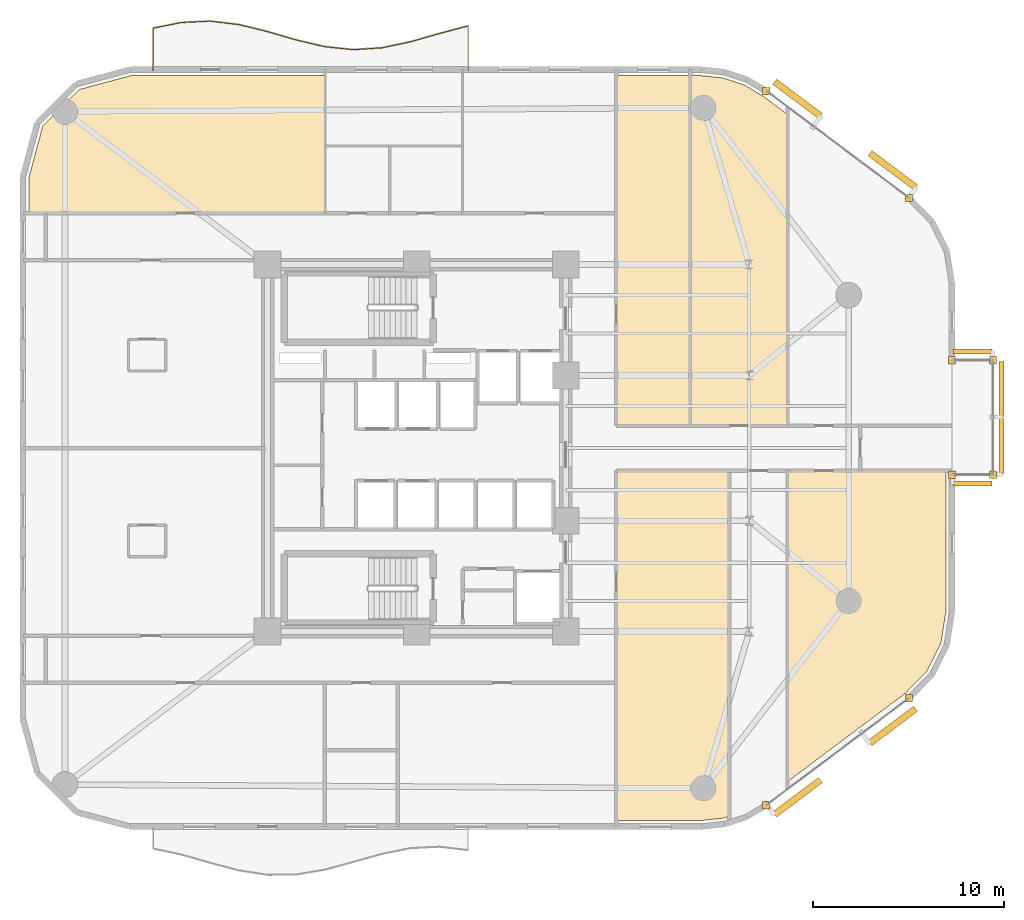
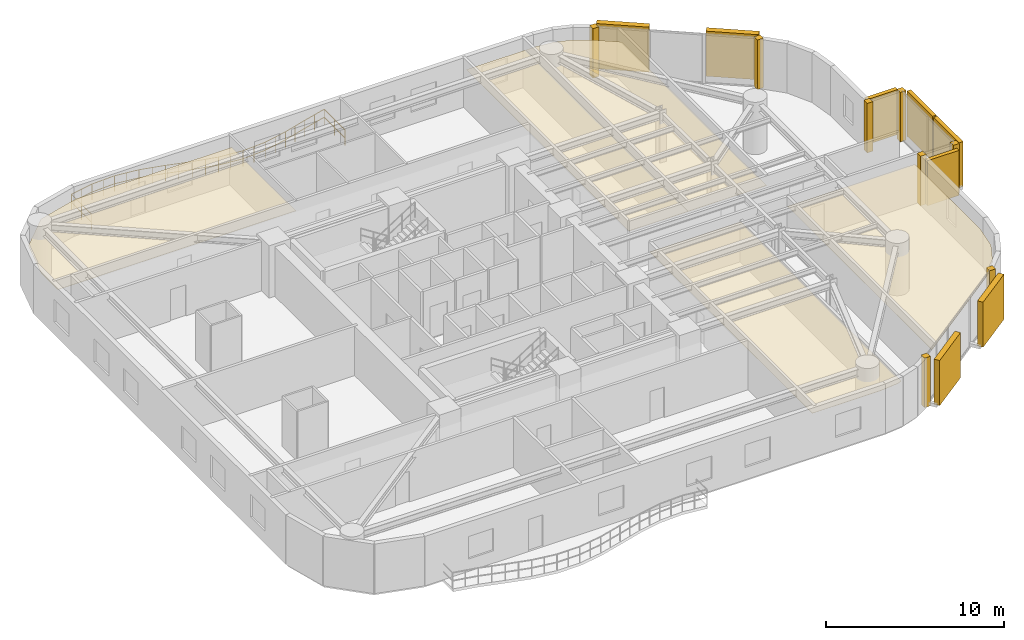
# One storey, part 14 of 14: 13 coverings, 8 shading devices, 1 railing.
"""IFC4 building model written with IfcOpenShell, lengths in metres."""

from ifc_helpers import new_model, si_unit, direction, frame, origin, origin_2d, place, context, subcontext, project, spatial, polyline, rectangle, circle, outline, extrude, material, layer, layer_set, type_object, element, save


model = new_model("IFC4")

# Units and contexts
model_context = context("Model", 3, precision=1e-05, world=origin(), true_north=direction((0.0, 1.0)))
body_context = subcontext(model_context, "Body", "Model", "MODEL_VIEW")
ifc_project = project(units=[si_unit("LENGTHUNIT", "METRE"), si_unit("AREAUNIT", "SQUARE_METRE"), si_unit("VOLUMEUNIT", "CUBIC_METRE"), si_unit("PLANEANGLEUNIT", "RADIAN"), si_unit("MASSUNIT", "GRAM", prefix="KILO")], contexts=[model_context])

# Site, building, storey
site_placement = place(None, origin())
site = spatial("IfcSite", under=ifc_project, at=site_placement, CompositionType="ELEMENT")
building_placement = place(site_placement, origin())
building = spatial("IfcBuilding", under=site, at=building_placement, Name="An Khanh Terracotta Commons", CompositionType="ELEMENT")
storey_placement = place(building_placement, frame((0.0, 0.0, 115.10009765625)))
storey = spatial("IfcBuildingStorey", under=building, at=storey_placement, Name="L30", CompositionType="ELEMENT", Elevation=115.10009765625)

# Coverings
ifc_material_1 = material(Name="Perforated Mineral-Fibre Acoustic Tile")
ifc_layer_1 = layer(ifc_material_1, 0.02001953125, Name="Perforated Mineral-Fibre Acoustic Tile")
ifc_layer_set_1 = layer_set([ifc_layer_1], Name="Perforated Mineral-Fibre Acoustic Tile")
covering_type_1 = type_object("IfcCoveringType", Name="CEIL-ACOUSTIC-18", PredefinedType="CEILING", material=ifc_layer_set_1)
covering_1_placement = place(storey_placement, frame((0.0, 0.0, 2.64990234375)))
element("IfcCovering", 1, at=covering_1_placement, inside=storey, type_object=covering_type_1, Name="L30 Collaborative Study Lounge Ceiling", PredefinedType="CEILING", context=body_context, shape_type="SweptSolid", body=[
    extrude(outline(polyline([(43.7080078125, 43.47998046875), (43.7080078125, 25.179931640625), (39.85009765625, 25.179931640625), (39.85009765625, 33.820068359375), (39.85009765625, 36.280029296875), (39.85009765625, 43.47998046875), (43.7080078125, 43.47998046875)])), origin(), (0.0, 0.0, 1.0), 0.02001953125),
])
covering_2_placement = place(storey_placement, frame((0.0, 0.0, 2.64990234375)))
element("IfcCovering", 2, at=covering_2_placement, inside=storey, type_object=covering_type_1, Name="L30 Collaborative Study Lounge Ceiling", PredefinedType="CEILING", context=body_context, shape_type="SweptSolid", body=[
    extrude(outline(polyline([(44.31591796875, 43.47998046875), (45.45703125, 43.35791015625), (46.529052734375, 43.0), (47.514892578125, 42.4140625), (48.800048828125, 41.449951171875), (48.800048828125, 25.179931640625), (43.7080078125, 25.179931640625), (43.7080078125, 43.47998046875), (44.31591796875, 43.47998046875)])), origin(), (0.0, 0.0, 1.0), 0.02001953125),
])
covering_3_placement = place(storey_placement, frame((0.0, 0.0, 2.64990234375)))
element("IfcCovering", 3, at=covering_3_placement, inside=storey, type_object=covering_type_1, Name="L30 Collaborative Study Lounge Ceiling", PredefinedType="CEILING", context=body_context, shape_type="SweptSolid", body=[
    extrude(outline(polyline([(45.45703125, 4.64208984375), (44.31591796875, 4.52001953125), (39.85009765625, 4.52001953125), (39.85009765625, 11.719970703125), (39.85009765625, 14.179931640625), (39.85009765625, 22.820068359375), (45.757080078125, 22.820068359375), (45.757080078125, 4.742919921875), (45.45703125, 4.64208984375)])), origin(), (0.0, 0.0, 1.0), 0.02001953125),
])
covering_4_placement = place(storey_placement, frame((0.0, 0.0, 2.64990234375)))
element("IfcCovering", 4, at=covering_4_placement, inside=storey, type_object=covering_type_1, Name="L30 Riverfront Reading Hall Ceiling", PredefinedType="CEILING", context=body_context, shape_type="SweptSolid", body=[
    extrude(outline(polyline([(57.080078125, 15.425048828125), (56.825927734375, 13.7939453125), (56.10009765625, 12.342041015625), (54.947998046875, 11.160888671875), (48.800048828125, 6.550048828125), (48.800048828125, 22.820068359375), (52.60009765625, 22.820068359375), (57.080078125, 22.820068359375), (57.080078125, 15.425048828125)])), origin(), (0.0, 0.0, 1.0), 0.02001953125),
])
covering_5_placement = place(storey_placement, frame((0.0, 0.0, 2.64990234375)))
element("IfcCovering", 5, at=covering_5_placement, inside=storey, type_object=covering_type_1, Name="L30 Academic Seminar Room Ceiling", PredefinedType="CEILING", context=body_context, shape_type="SweptSolid", body=[
    extrude(outline(polyline([(24.60009765625, 43.47998046875), (24.60009765625, 39.800048828125), (24.60009765625, 36.280029296875), (10.0, 36.280029296875), (9.1201171875, 36.280029296875), (9.1201171875, 38.157958984375), (9.8369140625, 40.833984375), (11.76611328125, 42.762939453125), (14.44189453125, 43.47998046875), (24.60009765625, 43.47998046875)])), origin(), (0.0, 0.0, 1.0), 0.02001953125),
])
ifc_material_2 = material(Name="Fired Terracotta Rainscreen Cladding", Category="masonry")
ifc_layer_2 = layer(ifc_material_2, 0.080078125, Name="Fired Terracotta Rainscreen Cladding")
ifc_layer_set_2 = layer_set([ifc_layer_2], Name="Fired Terracotta Rainscreen Cladding")
covering_type_2 = type_object("IfcCoveringType", Name="COV-JAMB-TERRA", PredefinedType="CLADDING", material=ifc_layer_set_2)
for number, where, z_axis, x_axis, name in (
    (6, (47.693115234375, 5.320068359375, 0.0), (0.0, 0.0, 1.0), (1.0, 0.0, 0.0), "L30 CW-02 Curtain-Wall Jamb Closure JA"),
    (7, (55.159912109375, 10.919921875, 0.0), (0.0, 0.0, 1.0), (1.0, 0.0, 0.0), "L30 CW-02 Curtain-Wall Jamb Closure JB"),
    (8, (59.550048828125, 22.60009765625, 0.0), (0.0, 0.0, 1.0), (1.0, 0.0, 0.0), "L30 CW-04 Curtain-Wall Jamb Closure JA"),
    (9, (59.550048828125, 28.60009765625, 0.0), (0.0, 0.0, 1.0), (1.0, 0.0, 0.0), "L30 CW-04 Curtain-Wall Jamb Closure JB"),
    (10, (57.39990234375, 22.60009765625, 0.0), (0.0, 0.0, 1.0), (1.0, 0.0, 0.0), "L30 CW-04 Curtain-Wall Jamb Closure JA"),
    (11, (57.39990234375, 28.60009765625, 0.0), (0.0, 0.0, 1.0), (1.0, 0.0, 0.0), "L30 CW-04 Curtain-Wall Jamb Closure JB"),
    (12, (55.159912109375, 37.080078125, 0.0), (0.0, 0.0, 1.0), (1.0, 0.0, 0.0), "L30 CW-02 Curtain-Wall Jamb Closure JA"),
    (13, (47.693115234375, 42.679931640625, 0.0), (0.0, 0.0, 1.0), (1.0, 0.0, 0.0), "L30 CW-02 Curtain-Wall Jamb Closure JB"),
):
    element("IfcCovering", number, at=place(storey_placement, frame(where, z_axis=z_axis, x_axis=x_axis)), inside=storey, type_object=covering_type_2, Name=name, PredefinedType="CLADDING", context=body_context, shape_type="SweptSolid", body=[
        extrude(rectangle(XDim=0.3798828125, YDim=0.3798828125, at=origin_2d()), origin(), (0.0, 0.0, 1.0), 3.39990234375),
    ])

# Railing
ifc_material_3 = material(Name="Brushed Stainless Steel 316", Category="steel")
railing_type = type_object("IfcRailingType", Name="RAIL-BALUSTRADE-1100", PredefinedType="BALUSTRADE", material=ifc_material_3)
railing_placement = place(storey_placement, frame((32.10009765625, 43.739990234375, 0.0)))
element("IfcRailing", 14, at=railing_placement, inside=storey, type_object=railing_type, Name="L30 N Wave Balcony Guard Balustrade", PredefinedType="BALUSTRADE", context=body_context, shape_type="SweptSolid", body=[
    extrude(circle(Radius=0.02392578125, at=origin_2d()), frame((0.0, 0.0, 1.076171875), z_axis=(0.0, 1.0, 0.0), x_axis=(-1.0, 0.0, 0.0)), (0.0, 0.0, 1.0), 2.344970703125),
    extrude(circle(Radius=0.02392578125, at=origin_2d()), frame((0.0, 0.0, 0.52587890625), z_axis=(0.0, 1.0, 0.0), x_axis=(-1.0, 0.0, 0.0)), (0.0, 0.0, 1.0), 2.344970703125),
    extrude(circle(Radius=0.02392578125, at=origin_2d()), frame((0.0, 2.344970703125, 1.076171875), z_axis=(-0.966718963822, -0.255840663277, 0.0), x_axis=(0.255840663277, -0.966718963822, 0.0)), (0.0, 0.0, 1.0), 1.5517578125),
    extrude(circle(Radius=0.02392578125, at=origin_2d()), frame((0.0, 2.344970703125, 0.52587890625), z_axis=(-0.966718963822, -0.255840663277, 0.0), x_axis=(0.255840663277, -0.966718963822, 0.0)), (0.0, 0.0, 1.0), 1.5517578125),
    extrude(circle(Radius=0.02392578125, at=origin_2d()), frame((-1.5, 1.947998046875, 1.076171875), z_axis=(-0.961293347262, -0.275526950607, 0.0), x_axis=(0.275526950607, -0.961293347262, 0.0)), (0.0, 0.0, 1.0), 1.560302734375),
    extrude(circle(Radius=0.02392578125, at=origin_2d()), frame((-1.5, 1.947998046875, 0.52587890625), z_axis=(-0.961293347262, -0.275526950607, 0.0), x_axis=(0.275526950607, -0.961293347262, 0.0)), (0.0, 0.0, 1.0), 1.560302734375),
    extrude(circle(Radius=0.02392578125, at=origin_2d()), frame((-3.0, 1.51806640625, 1.076171875), z_axis=(-0.978242938641, -0.207462654468, 0.0), x_axis=(0.207462654468, -0.978242938641, 0.0)), (0.0, 0.0, 1.0), 1.533447265625),
    extrude(circle(Radius=0.02392578125, at=origin_2d()), frame((-3.0, 1.51806640625, 0.52587890625), z_axis=(-0.978242938641, -0.207462654468, 0.0), x_axis=(0.207462654468, -0.978242938641, 0.0)), (0.0, 0.0, 1.0), 1.533447265625),
    extrude(circle(Radius=0.02392578125, at=origin_2d()), frame((-4.5, 1.199951171875, 1.076171875), z_axis=(-0.99787689467, -0.065128358523, 0.0), x_axis=(0.065128358523, -0.99787689467, 0.0)), (0.0, 0.0, 1.0), 1.503173828125),
    extrude(circle(Radius=0.02392578125, at=origin_2d()), frame((-4.5, 1.199951171875, 0.52587890625), z_axis=(-0.99787689467, -0.065128358523, 0.0), x_axis=(0.065128358523, -0.99787689467, 0.0)), (0.0, 0.0, 1.0), 1.503173828125),
    extrude(circle(Radius=0.02392578125, at=origin_2d()), frame((-6.0, 1.10205078125, 1.076171875), z_axis=(-0.994833141332, 0.101523499286, 0.0), x_axis=(-0.101523499286, -0.994833141332, 0.0)), (0.0, 0.0, 1.0), 1.5078125),
    extrude(circle(Radius=0.02392578125, at=origin_2d()), frame((-6.0, 1.10205078125, 0.52587890625), z_axis=(-0.994833141332, 0.101523499286, 0.0), x_axis=(-0.101523499286, -0.994833141332, 0.0)), (0.0, 0.0, 1.0), 1.5078125),
    extrude(circle(Radius=0.02392578125, at=origin_2d()), frame((-7.5, 1.255126953125, 1.076171875), z_axis=(-0.973263214687, 0.229692653206, 0.0), x_axis=(-0.229692653206, -0.973263214687, 0.0)), (0.0, 0.0, 1.0), 1.541259765625),
    extrude(circle(Radius=0.02392578125, at=origin_2d()), frame((-7.5, 1.255126953125, 0.52587890625), z_axis=(-0.973263214687, 0.229692653206, 0.0), x_axis=(-0.229692653206, -0.973263214687, 0.0)), (0.0, 0.0, 1.0), 1.541259765625),
    extrude(circle(Radius=0.02392578125, at=origin_2d()), frame((-9.0, 1.609130859375, 1.076171875), z_axis=(-0.960460913759, 0.278414857976, 0.0), x_axis=(-0.278414857976, -0.960460913759, 0.0)), (0.0, 0.0, 1.0), 1.561767578125),
    extrude(circle(Radius=0.02392578125, at=origin_2d()), frame((-9.0, 1.609130859375, 0.52587890625), z_axis=(-0.960460913759, 0.278414857976, 0.0), x_axis=(-0.278414857976, -0.960460913759, 0.0)), (0.0, 0.0, 1.0), 1.561767578125),
    extrude(circle(Radius=0.02392578125, at=origin_2d()), frame((-10.5, 2.0439453125, 1.076171875), z_axis=(-0.970881568768, 0.239559970419, 0.0), x_axis=(-0.239559970419, -0.970881568768, 0.0)), (0.0, 0.0, 1.0), 1.544921875),
    extrude(circle(Radius=0.02392578125, at=origin_2d()), frame((-10.5, 2.0439453125, 0.52587890625), z_axis=(-0.970881568768, 0.239559970419, 0.0), x_axis=(-0.239559970419, -0.970881568768, 0.0)), (0.0, 0.0, 1.0), 1.544921875),
    extrude(circle(Radius=0.02392578125, at=origin_2d()), frame((-12.0, 2.4140625, 1.076171875), z_axis=(-0.99288219023, 0.11910061429, 0.0), x_axis=(-0.11910061429, -0.99288219023, 0.0)), (0.0, 0.0, 1.0), 1.5107421875),
    extrude(circle(Radius=0.02392578125, at=origin_2d()), frame((-12.0, 2.4140625, 0.52587890625), z_axis=(-0.99288219023, 0.11910061429, 0.0), x_axis=(-0.11910061429, -0.99288219023, 0.0)), (0.0, 0.0, 1.0), 1.5107421875),
    extrude(circle(Radius=0.02392578125, at=origin_2d()), frame((-13.5, 2.593994140625, 1.076171875), z_axis=(-0.998880243389, -0.047310245903, 0.0), x_axis=(0.047310245903, -0.998880243389, 0.0)), (0.0, 0.0, 1.0), 1.501708984375),
    extrude(circle(Radius=0.02392578125, at=origin_2d()), frame((-13.5, 2.593994140625, 0.52587890625), z_axis=(-0.998880243389, -0.047310245903, 0.0), x_axis=(0.047310245903, -0.998880243389, 0.0)), (0.0, 0.0, 1.0), 1.501708984375),
    extrude(circle(Radius=0.02392578125, at=origin_2d()), frame((-15.0, 2.52294921875, 1.076171875), z_axis=(-0.980849911242, -0.194765119094, 0.0), x_axis=(0.194765119094, -0.980849911242, 0.0)), (0.0, 0.0, 1.0), 1.529296875),
    extrude(circle(Radius=0.02392578125, at=origin_2d()), frame((-15.0, 2.52294921875, 0.52587890625), z_axis=(-0.980849911242, -0.194765119094, 0.0), x_axis=(0.194765119094, -0.980849911242, 0.0)), (0.0, 0.0, 1.0), 1.529296875),
    extrude(circle(Radius=0.02392578125, at=origin_2d()), frame((-16.5, 2.22509765625, 1.076171875), z_axis=(0.0, -1.0, 0.0), x_axis=(1.0, 0.0, 0.0)), (0.0, 0.0, 1.0), 2.22509765625),
    extrude(circle(Radius=0.02392578125, at=origin_2d()), frame((-16.5, 2.22509765625, 0.52587890625), z_axis=(0.0, -1.0, 0.0), x_axis=(1.0, 0.0, 0.0)), (0.0, 0.0, 1.0), 2.22509765625),
    extrude(circle(Radius=0.02099609375, at=origin_2d()), origin(), (0.0, 0.0, 1.0), 1.052001953125),
    extrude(circle(Radius=0.02099609375, at=origin_2d()), frame((0.0, 1.17236328125, 0.0)), (0.0, 0.0, 1.0), 1.052001953125),
    extrude(circle(Radius=0.02099609375, at=origin_2d()), frame((0.0, 2.344970703125, 0.0)), (0.0, 0.0, 1.0), 1.052001953125),
    extrude(circle(Radius=0.02099609375, at=origin_2d()), frame((-0.75, 2.146484375, 0.0)), (0.0, 0.0, 1.0), 1.052001953125),
    extrude(circle(Radius=0.02099609375, at=origin_2d()), frame((-1.5, 1.947998046875, 0.0)), (0.0, 0.0, 1.0), 1.052001953125),
    extrude(circle(Radius=0.02099609375, at=origin_2d()), frame((-2.25, 1.73291015625, 0.0)), (0.0, 0.0, 1.0), 1.052001953125),
    extrude(circle(Radius=0.02099609375, at=origin_2d()), frame((-3.0, 1.51806640625, 0.0)), (0.0, 0.0, 1.0), 1.052001953125),
    extrude(circle(Radius=0.02099609375, at=origin_2d()), frame((-3.75, 1.35888671875, 0.0)), (0.0, 0.0, 1.0), 1.052001953125),
    extrude(circle(Radius=0.02099609375, at=origin_2d()), frame((-4.5, 1.199951171875, 0.0)), (0.0, 0.0, 1.0), 1.052001953125),
    extrude(circle(Radius=0.02099609375, at=origin_2d()), frame((-5.25, 1.15087890625, 0.0)), (0.0, 0.0, 1.0), 1.052001953125),
    extrude(circle(Radius=0.02099609375, at=origin_2d()), frame((-6.0, 1.10205078125, 0.0)), (0.0, 0.0, 1.0), 1.052001953125),
    extrude(circle(Radius=0.02099609375, at=origin_2d()), frame((-6.75, 1.1787109375, 0.0)), (0.0, 0.0, 1.0), 1.052001953125),
    extrude(circle(Radius=0.02099609375, at=origin_2d()), frame((-7.5, 1.255126953125, 0.0)), (0.0, 0.0, 1.0), 1.052001953125),
    extrude(circle(Radius=0.02099609375, at=origin_2d()), frame((-8.25, 1.43212890625, 0.0)), (0.0, 0.0, 1.0), 1.052001953125),
    extrude(circle(Radius=0.02099609375, at=origin_2d()), frame((-9.0, 1.609130859375, 0.0)), (0.0, 0.0, 1.0), 1.052001953125),
    extrude(circle(Radius=0.02099609375, at=origin_2d()), frame((-9.75, 1.82666015625, 0.0)), (0.0, 0.0, 1.0), 1.052001953125),
    extrude(circle(Radius=0.02099609375, at=origin_2d()), frame((-10.5, 2.0439453125, 0.0)), (0.0, 0.0, 1.0), 1.052001953125),
    extrude(circle(Radius=0.02099609375, at=origin_2d()), frame((-11.25, 2.22900390625, 0.0)), (0.0, 0.0, 1.0), 1.052001953125),
    extrude(circle(Radius=0.02099609375, at=origin_2d()), frame((-12.0, 2.4140625, 0.0)), (0.0, 0.0, 1.0), 1.052001953125),
    extrude(circle(Radius=0.02099609375, at=origin_2d()), frame((-12.75, 2.50390625, 0.0)), (0.0, 0.0, 1.0), 1.052001953125),
    extrude(circle(Radius=0.02099609375, at=origin_2d()), frame((-13.5, 2.593994140625, 0.0)), (0.0, 0.0, 1.0), 1.052001953125),
    extrude(circle(Radius=0.02099609375, at=origin_2d()), frame((-14.25, 2.55859375, 0.0)), (0.0, 0.0, 1.0), 1.052001953125),
    extrude(circle(Radius=0.02099609375, at=origin_2d()), frame((-15.0, 2.52294921875, 0.0)), (0.0, 0.0, 1.0), 1.052001953125),
    extrude(circle(Radius=0.02099609375, at=origin_2d()), frame((-15.75, 2.3740234375, 0.0)), (0.0, 0.0, 1.0), 1.052001953125),
    extrude(circle(Radius=0.02099609375, at=origin_2d()), frame((-16.5, 2.22509765625, 0.0)), (0.0, 0.0, 1.0), 1.052001953125),
    extrude(circle(Radius=0.02099609375, at=origin_2d()), frame((-16.5, 1.112548828125, 0.0)), (0.0, 0.0, 1.0), 1.052001953125),
    extrude(circle(Radius=0.02099609375, at=origin_2d()), frame((-16.5, 0.0, 0.0)), (0.0, 0.0, 1.0), 1.052001953125),
])

# Shading devices
ifc_material_4 = material(Name="Warm Hardwood Timber-Finish Aluminium", Category="wood")
shading_device_type_1 = type_object("IfcShadingDeviceType", Name="Shifted Box Timber-Toned Louvre Screen", PredefinedType="USERDEFINED", material=ifc_material_4)
for number, where, z_axis, x_axis, name in (
    (15, (60.0, 24.10009765625, 0.14990234375), (0.0, 0.0, 1.0), (0.0, 1.0, 0.0), "L30 Louvre Screen 1"),
    (16, (60.0, 27.10009765625, 0.14990234375), (0.0, 0.0, 1.0), (0.0, 1.0, 0.0), "L30 Louvre Screen 2"),
):
    element("IfcShadingDevice", number, at=place(storey_placement, frame(where, z_axis=z_axis, x_axis=x_axis)), inside=storey, type_object=shading_device_type_1, Name=name, ObjectType="LOUVRE", PredefinedType="USERDEFINED", context=body_context, shape_type="SweptSolid", body=[
        extrude(rectangle(XDim=2.8798828125, YDim=0.25, at=origin_2d()), origin(), (0.0, 0.0, 1.0), 3.10009765625),
    ])
for number, where, z_axis, x_axis, name in (
    (17, (58.47509765625, 22.14990234375, 0.14990234375), (0.0, 0.0, 1.0), (1.0, 0.0, 0.0), "L30 Louvre Screen 1"),
    (18, (58.47509765625, 29.050048828125, 0.14990234375), (0.0, 0.0, 1.0), (-1.0, 0.0, 0.0), "L30 Louvre Screen 1"),
):
    element("IfcShadingDevice", number, at=place(storey_placement, frame(where, z_axis=z_axis, x_axis=x_axis)), inside=storey, type_object=shading_device_type_1, Name=name, ObjectType="LOUVRE", PredefinedType="USERDEFINED", context=body_context, shape_type="SweptSolid", body=[
        extrude(rectangle(XDim=2.030029296875, YDim=0.25, at=origin_2d()), origin(), (0.0, 0.0, 1.0), 3.10009765625),
    ])
ifc_material_5 = material(Name="Extruded Fired Terracotta", Category="masonry")
shading_device_type_2 = type_object("IfcShadingDeviceType", Name="Terracotta Baguette Screen Assembly", PredefinedType="USERDEFINED", material=ifc_material_5)
for number, where, z_axis, x_axis, name in (
    (19, (49.326904296875, 5.73291015625, 0.14990234375), (0.0, 0.0, 1.0), (0.800012856594, 0.599982857492, 0.0), "L30 Terracotta Baguette Screen 1"),
    (20, (54.304931640625, 9.467041015625, 0.14990234375), (0.0, 0.0, 1.0), (0.800012856594, 0.599982857492, 0.0), "L30 Terracotta Baguette Screen 3"),
    (21, (54.304931640625, 38.532958984375, 0.14990234375), (0.0, 0.0, 1.0), (-0.800012856594, 0.599982857492, 0.0), "L30 Terracotta Baguette Screen 1"),
    (22, (49.326904296875, 42.26708984375, 0.14990234375), (0.0, 0.0, 1.0), (-0.800012856594, 0.599982857492, 0.0), "L30 Terracotta Baguette Screen 3"),
):
    element("IfcShadingDevice", number, at=place(storey_placement, frame(where, z_axis=z_axis, x_axis=x_axis)), inside=storey, type_object=shading_device_type_2, Name=name, ObjectType="BAGUETTE", PredefinedType="USERDEFINED", context=body_context, shape_type="SweptSolid", body=[
        extrude(rectangle(XDim=2.990966796875, YDim=0.35009765625, at=origin_2d()), origin(), (0.0, 0.0, 1.0), 3.10009765625),
    ])

save(model, "model.ifc")
